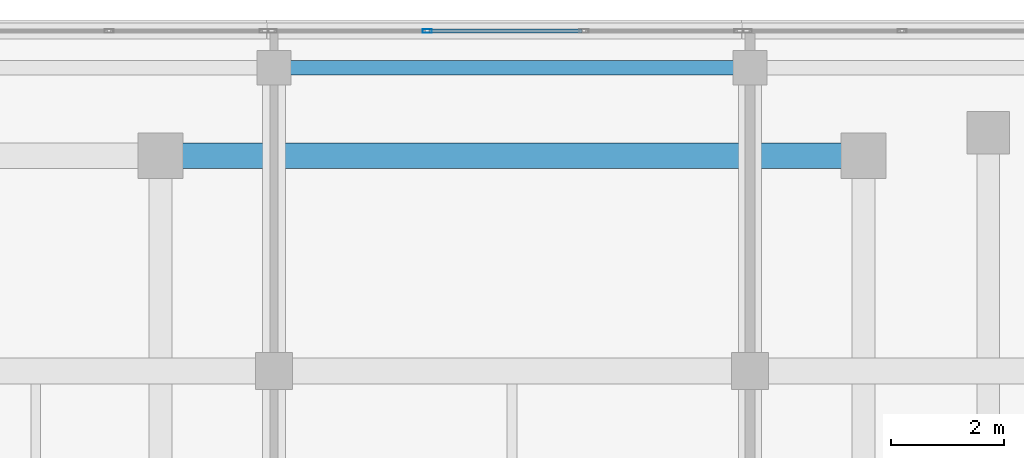
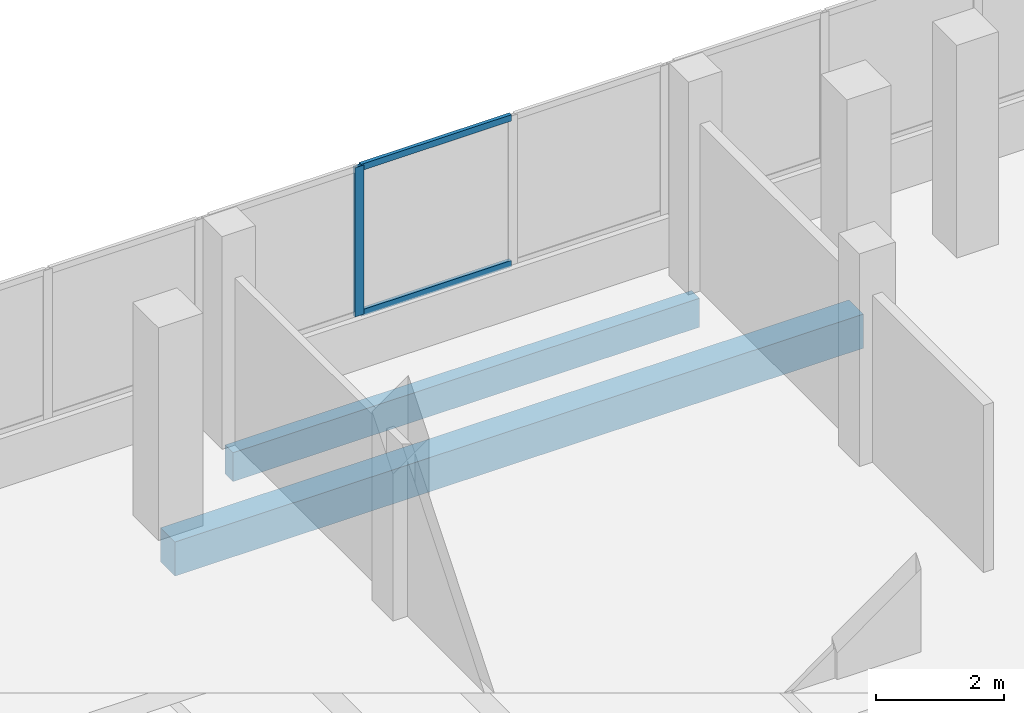
# One storey, part 27 of 76: 3 members, 2 beams, 1 element without a shape of its own.
"""IFC4 building model written with IfcOpenShell, lengths in metres."""

from ifc_helpers import new_model, si_unit, direction, frame, origin, origin_2d, place, context, subcontext, project, spatial, rectangle, hollow_rectangle, extrude, material, material_profile, profile_set, type_object, element, aggregate, save


model = new_model("IFC4")

# Units and contexts
model_context = context("Model", 3, precision=1e-05, world=origin(), true_north=direction((0.0, 1.0)))
body_context = subcontext(model_context, "Body", "Model", "MODEL_VIEW")
ifc_project = project(units=[si_unit("LENGTHUNIT", "METRE"), si_unit("AREAUNIT", "SQUARE_METRE"), si_unit("VOLUMEUNIT", "CUBIC_METRE"), si_unit("PLANEANGLEUNIT", "RADIAN"), si_unit("MASSUNIT", "GRAM", prefix="KILO")], contexts=[model_context])

# Site, building, storey
site_placement = place(None, origin())
site = spatial("IfcSite", under=ifc_project, at=site_placement, CompositionType="ELEMENT")
building_placement = place(site_placement, origin())
building = spatial("IfcBuilding", under=site, at=building_placement, Name="Selatvlak General Hospital", CompositionType="ELEMENT")
storey_placement = place(building_placement, frame((0.0, 0.0, 27.300048828125)))
storey = spatial("IfcBuildingStorey", under=building, at=storey_placement, Name="L06", CompositionType="ELEMENT", Elevation=27.300048828125)

# Beams
ifc_material_1 = material(Name="Concrete C40/50", Category="concrete")
ifc_material_profile_1 = material_profile(ifc_material_1, rectangle(XDim=0.449951171875, YDim=0.64990234375, at=origin_2d()), Name="RC-BM 450x650")
ifc_profile_set_1 = profile_set([ifc_material_profile_1], Name="Concrete C40/50")
beam_type_1 = type_object("IfcBeamType", Name="BM-G04", PredefinedType="BEAM", material=ifc_profile_set_1)
beam_1_placement = place(storey_placement, frame((71.199951171875, 117.800048828125, -0.60009765625), z_axis=(1.0, 0.0, 0.0), x_axis=(0.0, 1.0, 0.0)))
element("IfcBeam", 1, at=beam_1_placement, inside=storey, type_object=beam_type_1, Name="Beam BMR-L06-2231", PredefinedType="BEAM", context=body_context, shape_type="SweptSolid", body=[
    extrude(rectangle(XDim=0.449951171875, YDim=0.64990234375, at=origin_2d()), origin(), (0.0, 0.0, 1.0), 12.400146484375),
])
ifc_material_profile_2 = material_profile(ifc_material_1, rectangle(XDim=0.25, YDim=0.550048828125, at=origin_2d()), Name="RC-SP 250x550")
ifc_profile_set_2 = profile_set([ifc_material_profile_2], Name="Concrete C40/50")
beam_type_2 = type_object("IfcBeamType", Name="BM-SP2", PredefinedType="SPANDREL", material=ifc_profile_set_2)
beam_2_placement = place(storey_placement, frame((73.199951171875, 119.35009765625, -0.550048828125), z_axis=(1.0, 0.0, 0.0), x_axis=(0.0, 1.0, 0.0)))
element("IfcBeam", 2, at=beam_2_placement, inside=storey, type_object=beam_type_2, Name="Beam BMR-L06-2234", PredefinedType="SPANDREL", context=body_context, shape_type="SweptSolid", body=[
    extrude(rectangle(XDim=0.25, YDim=0.550048828125, at=origin_2d()), origin(), (0.0, 0.0, 1.0), 8.400146484375),
])

# Curtain wall, members
ifc_material_2 = material(Name="Solar-control Low-E double glazing", Category="glass")
curtain_wall_type = type_object("IfcCurtainWallType", Name="CW-CW-02", PredefinedType="USERDEFINED", material=ifc_material_2)
curtain_wall_placement = place(storey_placement, origin())
curtain_wall = element("IfcCurtainWall", 3, at=curtain_wall_placement, inside=storey, type_object=curtain_wall_type, Name="Glazed facade curtain wall CW-L06-0604", ObjectType="UNITISED CURTAIN WALL", PredefinedType="USERDEFINED")
ifc_material_3 = material(Name="Dark anodised aluminium mullion", Category="aluminium")
ifc_material_profile_3 = material_profile(ifc_material_3, hollow_rectangle(XDim=0.06494140625, YDim=0.159912109375, WallThickness=0.00390625, at=origin_2d()), Name="AL-MUL 65x160x4")
ifc_profile_set_3 = profile_set([ifc_material_profile_3], Name="Dark anodised aluminium mullion")
member_type_1 = type_object("IfcMemberType", Name="CWM-01", PredefinedType="MULLION", material=ifc_profile_set_3)
member_1_placement = place(storey_placement, frame((75.904296875, 119.9990234375, 0.93994140625), z_axis=(0.0, 0.0, 1.0), x_axis=(0.0, 1.0, 0.0)))
member_1 = element("IfcMember", 4, at=member_1_placement, type_object=member_type_1, Name="CW-02 mullion 2", PredefinedType="MULLION", context=body_context, shape_type="SweptSolid", body=[
    extrude(hollow_rectangle(XDim=0.06494140625, YDim=0.159912109375, WallThickness=0.00390625, at=origin_2d()), origin(), (0.0, 0.0, 1.0), 2.840087890625),
])
ifc_material_profile_4 = material_profile(ifc_material_3, hollow_rectangle(XDim=0.06494140625, YDim=0.1201171875, WallThickness=0.00390625, at=origin_2d()), Name="AL-TRN 65x120x4")
ifc_profile_set_4 = profile_set([ifc_material_profile_4], Name="Dark anodised aluminium mullion")
member_type_2 = type_object("IfcMemberType", Name="CWT-01", PredefinedType="USERDEFINED", material=ifc_profile_set_4)
member_2_placement = place(storey_placement, frame((75.936767578125, 119.9990234375, 0.972412109375), z_axis=(1.0, 0.0, 0.0), x_axis=(0.0, 1.0, 0.0)))
member_2 = element("IfcMember", 5, at=member_2_placement, type_object=member_type_2, Name="CW-02 transom 2.1", ObjectType="TRANSOM", PredefinedType="USERDEFINED", context=body_context, shape_type="SweptSolid", body=[
    extrude(hollow_rectangle(XDim=0.06494140625, YDim=0.1201171875, WallThickness=0.00390625, at=origin_2d()), origin(), (0.0, 0.0, 1.0), 2.701416015625),
])
member_3_placement = place(storey_placement, frame((75.936767578125, 119.9990234375, 3.74755859375), z_axis=(1.0, 0.0, 0.0), x_axis=(0.0, 1.0, 0.0)))
member_3 = element("IfcMember", 6, at=member_3_placement, type_object=member_type_2, Name="CW-02 transom 2.2", ObjectType="TRANSOM", PredefinedType="USERDEFINED", context=body_context, shape_type="SweptSolid", body=[
    extrude(hollow_rectangle(XDim=0.06494140625, YDim=0.1201171875, WallThickness=0.00390625, at=origin_2d()), origin(), (0.0, 0.0, 1.0), 2.701416015625),
])
aggregate(curtain_wall, [member_1, member_2, member_3])

save(model, "model.ifc")
